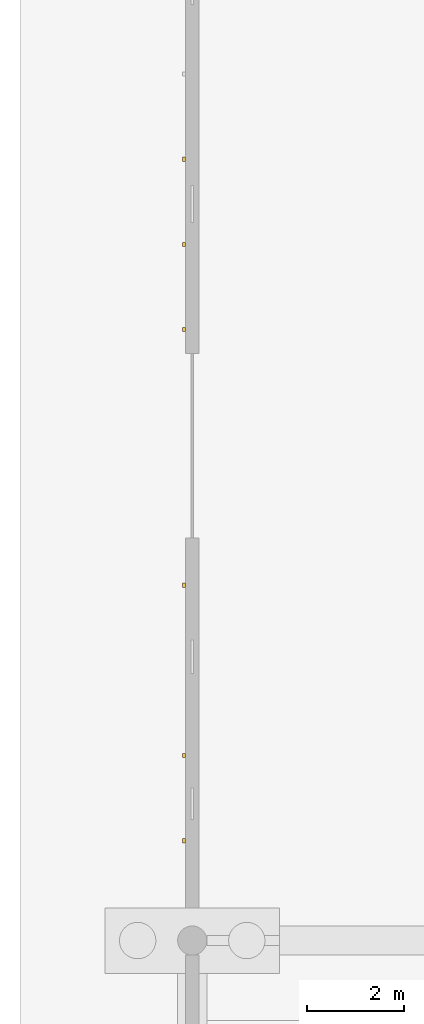
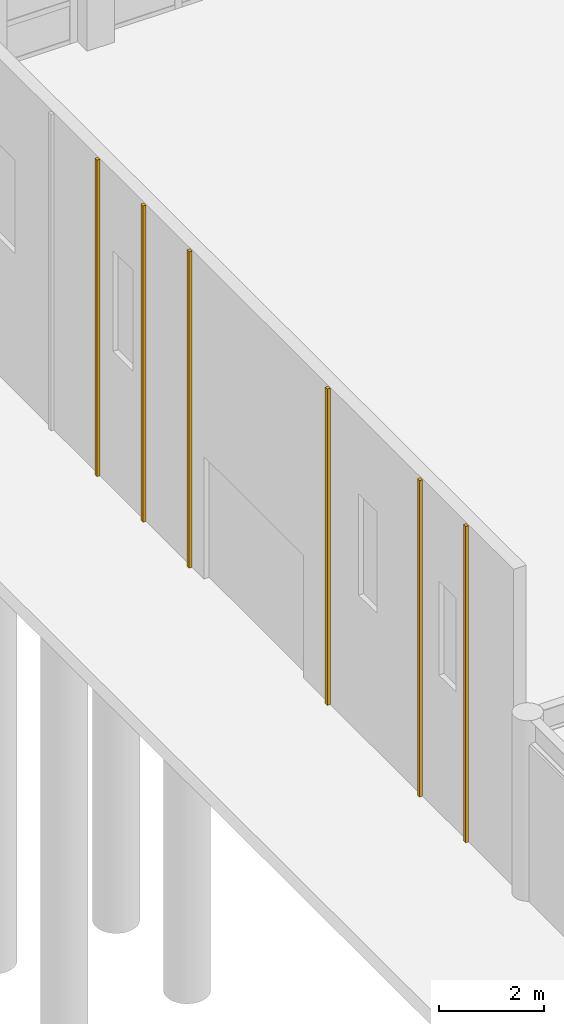
# One storey, part 135 of 154: 6 coverings.
"""IFC4 building model written with IfcOpenShell, lengths in metres."""

import ifcopenshell
import ifcopenshell.guid

model = None  # the IFC model being written
_history = None  # IfcOwnerHistory: only IFC2X3 demands one
_inside = {}  # id of a spatial element -> (the spatial element, [elements in it])
_under = {}  # id of a project, library or spatial element -> (it, [spatial elements below it])
_declared = {}  # id of a project -> (the project, [libraries it declares])
_typed = {}  # id of a type object -> (the type object, [elements of that type])
_made_of = {}  # id of a material, layer set ... -> (it, [elements and type objects made of it])


def new_model(schema):
    """Start an empty IFC model of exactly this schema.

    Asked for "IFC4X3", IfcOpenShell would pick the latest addendum, in which some entities
    have other attributes; the version numbers below select the first issue.
    IFC2X3 requires an IfcOwnerHistory on every rooted entity: one is made here for all.
    """
    global model, _history
    if schema == "IFC4X3":
        model = ifcopenshell.file(schema_version=(4, 3, 0, 0))
    else:
        model = ifcopenshell.file(schema=schema)
    _inside.clear()
    _under.clear()
    _declared.clear()
    _typed.clear()
    _made_of.clear()
    _history = None
    if model.schema == "IFC2X3":
        org = make("IfcOrganization", Name="unknown")
        user = make(
            "IfcPersonAndOrganization",
            ThePerson=make("IfcPerson", FamilyName="unknown"),
            TheOrganization=org,
        )
        app = make(
            "IfcApplication",
            ApplicationDeveloper=org,
            Version="unknown",
            ApplicationFullName="unknown",
            ApplicationIdentifier="unknown",
        )
        _history = make(
            "IfcOwnerHistory",
            OwningUser=user,
            OwningApplication=app,
            ChangeAction="ADDED",
            CreationDate=0,
        )
    return model


def make(cls, **values):
    """One entity of the class cls with the attributes given. An attribute that is None is left unset."""
    return model.create_entity(
        cls, **{name: value for name, value in values.items() if value is not None}
    )


def rooted(cls, **values):
    """An entity with a GlobalId (a new one), such as an element, a storey or a relation."""
    return make(cls, GlobalId=ifcopenshell.guid.new(), OwnerHistory=_history, **values)


def si_unit(unit_type, name, prefix=None):
    """IfcSIUnit, for example si_unit("LENGTHUNIT", "METRE", prefix="MILLI")."""
    return make("IfcSIUnit", UnitType=unit_type, Prefix=prefix, Name=name)


def assignment(units):
    """IfcUnitAssignment: the units of a project."""
    return None if units is None else make("IfcUnitAssignment", Units=units)


def point(xyz):
    """IfcCartesianPoint."""
    return None if xyz is None else make("IfcCartesianPoint", Coordinates=xyz)


def direction(xyz):
    """IfcDirection."""
    return None if xyz is None else make("IfcDirection", DirectionRatios=xyz)


def frame(location, z_axis=None, x_axis=None):
    """IfcAxis2Placement3D, a coordinate frame: its origin and axes. An axis left out is left unset."""
    return make(
        "IfcAxis2Placement3D",
        Location=point(location),
        Axis=direction(z_axis),
        RefDirection=direction(x_axis),
    )


def frame_2d(location, x_axis=None):
    """IfcAxis2Placement2D, a coordinate frame in the plane: its origin and x axis."""
    return make(
        "IfcAxis2Placement2D", Location=point(location), RefDirection=direction(x_axis)
    )


def origin():
    """The frame at (0, 0, 0) with its axes left unset."""
    return frame((0.0, 0.0, 0.0))


def origin_2d():
    """The frame at (0, 0) in the plane with its x axis left unset."""
    return frame_2d((0.0, 0.0))


def place(relative_to, where):
    """IfcLocalPlacement: puts the frame where relative to a parent placement (None: the world)."""
    return make(
        "IfcLocalPlacement", PlacementRelTo=relative_to, RelativePlacement=where
    )


def context(
    kind, dimensions, precision=None, world=None, true_north=None, identifier=None
):
    """IfcGeometricRepresentationContext, for example the 3D "Model" context."""
    return make(
        "IfcGeometricRepresentationContext",
        ContextIdentifier=identifier,
        ContextType=kind,
        CoordinateSpaceDimension=dimensions,
        Precision=precision,
        WorldCoordinateSystem=world,
        TrueNorth=true_north,
    )


def subcontext(parent, identifier, kind, view, scale=None):
    """IfcGeometricRepresentationSubContext, for example "Body" below "Model"."""
    return make(
        "IfcGeometricRepresentationSubContext",
        ContextIdentifier=identifier,
        ContextType=kind,
        ParentContext=parent,
        TargetScale=scale,
        TargetView=view,
    )


def project(units=None, contexts=None):
    """IfcProject with its units and contexts."""
    return rooted(
        "IfcProject",
        Name="project",
        RepresentationContexts=contexts,
        UnitsInContext=assignment(units),
    )


def spatial(cls, under=None, at=None, **own):
    """A site, building, storey or space (cls), placed at a placement, below another one or the project."""
    s = rooted(cls, ObjectPlacement=at, **own)
    if under is not None:
        _under.setdefault(under.id(), (under, []))[1].append(s)
    return s


def profile(cls, at=None, kind="AREA", **sizes):
    """A parametric profile (cls). Its sizes go by their IFC names, for example OverallWidth=200.0."""
    return make(cls, ProfileType=kind, Position=at, **sizes)


def rectangle(**sizes):
    """IfcRectangleProfileDef."""
    return profile("IfcRectangleProfileDef", **sizes)


def extrude(swept, where, along, depth):
    """IfcExtrudedAreaSolid: the profile swept, set in the frame where, extruded along a direction by depth."""
    return make(
        "IfcExtrudedAreaSolid",
        SweptArea=swept,
        Position=where,
        ExtrudedDirection=direction(along),
        Depth=depth,
    )


def shape(context_of_items, identifier, shape_type, items):
    """IfcShapeRepresentation: the items that make up one representation, for example the "Body"."""
    return make(
        "IfcShapeRepresentation",
        ContextOfItems=context_of_items,
        RepresentationIdentifier=identifier,
        RepresentationType=shape_type,
        Items=items,
    )


def material(Name=None, Category=None):
    """IfcMaterial."""
    return make("IfcMaterial", Name=Name, Category=Category)


def layer(
    of_material, thickness, ventilated=None, Name=None, Category=None, Priority=None
):
    """IfcMaterialLayer: one layer of a wall or slab, of a material (None: an air gap)."""
    return make(
        "IfcMaterialLayer",
        Material=of_material,
        LayerThickness=thickness,
        IsVentilated=ventilated,
        Name=Name,
        Category=Category,
        Priority=Priority,
    )


def layer_set(layers, Name=None):
    """IfcMaterialLayerSet."""
    return make("IfcMaterialLayerSet", MaterialLayers=layers, LayerSetName=Name)


def made_of(thing, what):
    """Note that an element or type object is made of a material, layer set ...; save() writes the relation."""
    if what is not None:
        _made_of.setdefault(what.id(), (what, []))[1].append(thing)
    return thing


def type_object(cls, material=None, **own):
    """A type object (cls), such as IfcWallType, which elements share."""
    return made_of(rooted(cls, **own), material)


def element(
    cls,
    number,
    at=None,
    inside=None,
    cuts=None,
    type_object=None,
    material=None,
    context=None,
    identifier="Body",
    shape_type=None,
    held_by="IfcProductDefinitionShape",
    body=None,
    shapes=None,
    **own,
):
    """One element of the class cls, such as IfcWall. Its Tag is "e" and its number.

    at: its placement. inside: the storey or other place that contains it. cuts: it is an
    opening in that element (IfcRelVoidsElement). A single representation is given by context,
    identifier, shape_type and body (its items); several are given by shapes. held_by: the class
    of the entity that holds the representations. save() writes the other relations.
    """
    e = rooted(cls, Tag="e%d" % number, ObjectPlacement=at, **own)
    if body is not None:
        shapes = [shape(context, identifier, shape_type, body)]
    if shapes is not None:
        e.Representation = make(held_by, Representations=shapes)
    if inside is not None:
        _inside.setdefault(inside.id(), (inside, []))[1].append(e)
    if cuts is not None:
        rooted(
            "IfcRelVoidsElement", RelatingBuildingElement=cuts, RelatedOpeningElement=e
        )
    if type_object is not None:
        _typed.setdefault(type_object.id(), (type_object, []))[1].append(e)
    return made_of(e, material)


def aggregate(whole, parts):
    """IfcRelAggregates: a whole, such as a stair, and the parts it consists of."""
    return rooted("IfcRelAggregates", RelatingObject=whole, RelatedObjects=parts)


def save(model, path):
    """Write the relations noted so far, then the file.

    IfcRelAggregates (storeys below a building ...), IfcRelContainedInSpatialStructure (elements
    in a storey), IfcRelDefinesByType, IfcRelAssociatesMaterial and IfcRelDeclares: one each for
    every whole, place, type object, material and project.
    """
    for whole, parts in _under.values():
        aggregate(whole, parts)
    for where, things in _inside.values():
        rooted(
            "IfcRelContainedInSpatialStructure",
            RelatedElements=things,
            RelatingStructure=where,
        )
    for kind, things in _typed.values():
        rooted("IfcRelDefinesByType", RelatedObjects=things, RelatingType=kind)
    for what, things in _made_of.values():
        rooted("IfcRelAssociatesMaterial", RelatedObjects=things, RelatingMaterial=what)
    for by, libraries in _declared.values():
        rooted("IfcRelDeclares", RelatingContext=by, RelatedDefinitions=libraries)
    model.write(path)


model = new_model("IFC4")

# Units and contexts
model_context = context("Model", 3, precision=1e-05, world=origin(), true_north=direction((0.0, 1.0)))
body_context = subcontext(model_context, "Body", "Model", "MODEL_VIEW")
ifc_project = project(units=[si_unit("LENGTHUNIT", "METRE"), si_unit("AREAUNIT", "SQUARE_METRE"), si_unit("VOLUMEUNIT", "CUBIC_METRE"), si_unit("PLANEANGLEUNIT", "RADIAN"), si_unit("MASSUNIT", "GRAM", prefix="KILO")], contexts=[model_context])

# Site, building, storey
site_placement = place(None, origin())
site = spatial("IfcSite", under=ifc_project, at=site_placement, CompositionType="ELEMENT")
building_placement = place(site_placement, origin())
building = spatial("IfcBuilding", under=site, at=building_placement, Name="Kestramere Prow Commons", CompositionType="ELEMENT")
storey_placement = place(building_placement, origin())
storey = spatial("IfcBuildingStorey", under=building, at=storey_placement, Name="L00", CompositionType="ELEMENT", Elevation=0.0)

# Coverings
ifc_material = material(Name="Weathered Zinc-Titanium Standing-Seam Cladding")
ifc_layer = layer(ifc_material, 0.074951171875)
ifc_layer_set = layer_set([ifc_layer], Name="Weathered Zinc-Titanium Standing-Seam Cladding")
covering_type = type_object("IfcCoveringType", Name="COV-CLAD-SEAM", PredefinedType="CLADDING", material=ifc_layer_set)
for number, where, z_axis, x_axis, name in (
    (1, (2.027587890625, 16.75634765625, 0.0), (0.0, 0.0, 1.0), (0.0, 1.0, 0.0), "EW-HL-L00-W Standing-Seam Rib 1"),
    (2, (2.027587890625, 18.512451171875, 0.0), (0.0, 0.0, 1.0), (0.0, 1.0, 0.0), "EW-HL-L00-W Standing-Seam Rib 2"),
    (3, (2.027587890625, 22.02490234375, 0.0), (0.0, 0.0, 1.0), (0.0, 1.0, 0.0), "EW-HL-L00-W Standing-Seam Rib 4"),
    (4, (2.027587890625, 27.293701171875, 0.0), (0.0, 0.0, 1.0), (0.0, 1.0, 0.0), "EW-HL-L00-W Standing-Seam Rib 7"),
    (5, (2.027587890625, 29.050048828125, 0.0), (0.0, 0.0, 1.0), (0.0, 1.0, 0.0), "EW-HL-L00-W Standing-Seam Rib 8"),
    (6, (2.027587890625, 30.80615234375, 0.0), (0.0, 0.0, 1.0), (0.0, 1.0, 0.0), "EW-HL-L00-W Standing-Seam Rib 9"),
):
    element("IfcCovering", number, at=place(storey_placement, frame(where, z_axis=z_axis, x_axis=x_axis)), inside=storey, type_object=covering_type, Name=name, PredefinedType="CLADDING", context=body_context, shape_type="SweptSolid", body=[
        extrude(rectangle(XDim=0.0849609375, YDim=0.06494140625, at=origin_2d()), origin(), (0.0, 0.0, 1.0), 7.360107421875),
    ])

save(model, "model.ifc")
